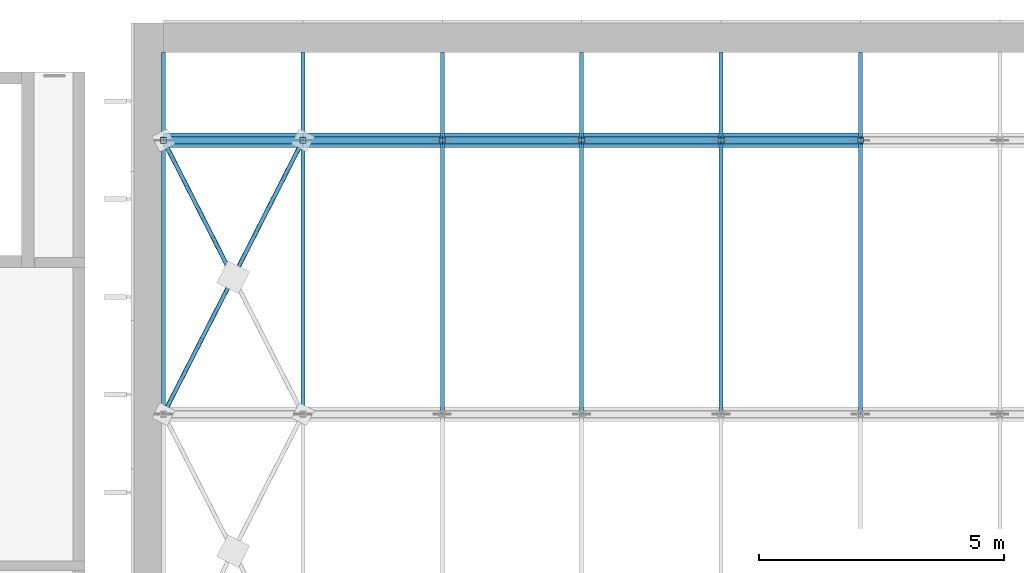
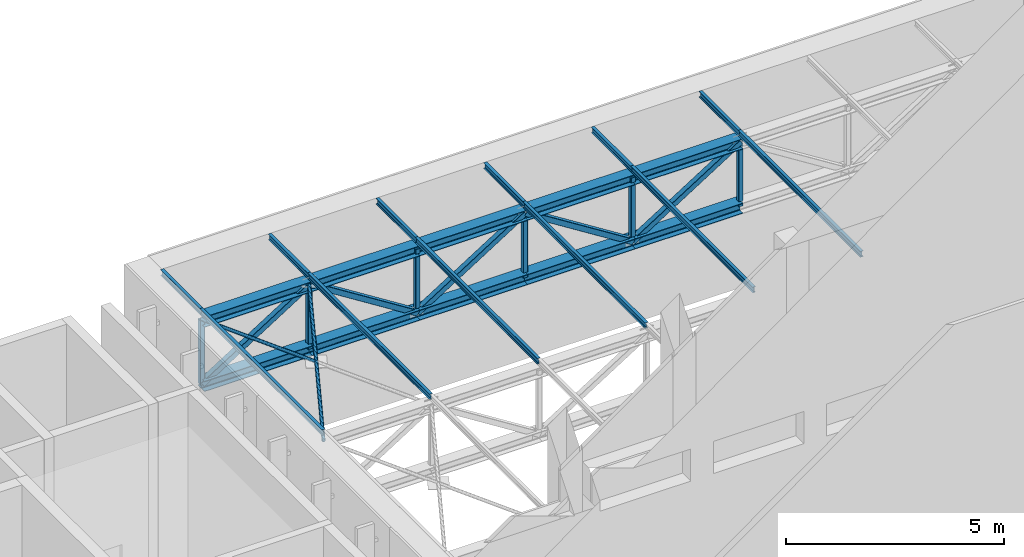
# One storey, part 42 of 55: 35 members.
"""IFC4 building model written with IfcOpenShell, lengths in metres."""

from ifc_helpers import new_model, si_unit, direction, frame, origin, origin_2d, place, context, subcontext, project, spatial, hollow_rectangle, hollow_circle, i_section, extrude, material, material_profile, profile_set, type_object, element, save


model = new_model("IFC4")

# Units and contexts
model_context = context("Model", 3, precision=1e-05, world=origin(), true_north=direction((0.0, 1.0)))
body_context = subcontext(model_context, "Body", "Model", "MODEL_VIEW")
ifc_project = project(units=[si_unit("LENGTHUNIT", "METRE"), si_unit("AREAUNIT", "SQUARE_METRE"), si_unit("VOLUMEUNIT", "CUBIC_METRE"), si_unit("PLANEANGLEUNIT", "RADIAN"), si_unit("MASSUNIT", "GRAM", prefix="KILO")], contexts=[model_context])

# Site, building, storey
site_placement = place(None, origin())
site = spatial("IfcSite", under=ifc_project, at=site_placement, CompositionType="ELEMENT")
building_placement = place(site_placement, origin())
building = spatial("IfcBuilding", under=site, at=building_placement, Name="Lunette Opera House", CompositionType="ELEMENT")
storey_placement = place(building_placement, frame((0.0, 0.0, 34.0)))
storey = spatial("IfcBuildingStorey", under=building, at=storey_placement, Name="L06", CompositionType="ELEMENT", Elevation=34.0)

# Members
ifc_material_1 = material(Name="Steel S355", Category="steel")
ifc_material_profile_1 = material_profile(ifc_material_1, hollow_circle(Radius=0.04443359375, WallThickness=0.00390625, at=origin_2d()), Name="CHS 88.9X4")
ifc_profile_set_1 = profile_set([ifc_material_profile_1], Name="Steel S355")
member_type_1 = type_object("IfcMemberType", Name="BRACING CHS 88.9X4", PredefinedType="BRACE", material=ifc_profile_set_1)
member_1_placement = place(storey_placement, frame((84.60009765625, 128.0, 5.574951171875), z_axis=(0.453543338002, 0.891234223173, 0.0), x_axis=(-0.891234223173, 0.453543338002, 0.0)))
element("IfcMember", 1, at=member_1_placement, inside=storey, type_object=member_type_1, Name="mem-ST-L06-SR-TR-BRQ2P1A", PredefinedType="BRACE", context=body_context, shape_type="SweptSolid", body=[
    extrude(hollow_circle(Radius=0.04443359375, WallThickness=0.00390625, at=origin_2d()), origin(), (0.0, 0.0, 1.0), 6.283447265625),
])
member_2_placement = place(storey_placement, frame((86.02490234375, 130.800048828125, 5.574951171875), z_axis=(-0.453512475474, 0.891249928241, 0.0), x_axis=(-0.891249928241, -0.453512475474, 0.0)))
element("IfcMember", 2, at=member_2_placement, inside=storey, type_object=member_type_1, Name="mem-ST-L06-SR-TR-BRQ2P1B segment 2", PredefinedType="BRACE", context=body_context, shape_type="SweptSolid", body=[
    extrude(hollow_circle(Radius=0.04443359375, WallThickness=0.00390625, at=origin_2d()), origin(), (0.0, 0.0, 1.0), 3.1416015625),
])
ifc_material_2 = material(Name="Steel S355", Category="steel")
ifc_material_profile_2 = material_profile(ifc_material_2, i_section(OverallWidth=0.300048828125, OverallDepth=0.2900390625, WebThickness=0.008544921875, FlangeThickness=0.013916015625, FilletRadius=0.027099609375, at=origin_2d()), Name="HEA 300")
ifc_profile_set_2 = profile_set([ifc_material_profile_2], Name="Steel S355")
member_type_2 = type_object("IfcMemberType", Name="CHORD HEA 300", PredefinedType="CHORD", material=ifc_profile_set_2)
for number, where, z_axis, x_axis, name in (
    (3, (84.60009765625, 133.60009765625, 5.574951171875), (1.0, 0.0, 0.0), (0.0, 1.0, 0.0), "mem-ST-L06-SR-TR03-TC1"),
    (4, (84.60009765625, 133.60009765625, 3.77490234375), (1.0, 0.0, 0.0), (0.0, 1.0, 0.0), "mem-ST-L06-SR-TR03-BC1"),
):
    element("IfcMember", number, at=place(storey_placement, frame(where, z_axis=z_axis, x_axis=x_axis)), inside=storey, type_object=member_type_2, Name=name, PredefinedType="CHORD", context=body_context, shape_type="SweptSolid", body=[
        extrude(i_section(OverallWidth=0.300048828125, OverallDepth=0.2900390625, WebThickness=0.008544921875, FlangeThickness=0.013916015625, FilletRadius=0.027099609375, at=origin_2d()), origin(), (0.0, 0.0, 1.0), 2.849853515625),
    ])
for number, where, z_axis, x_axis, name in (
    (5, (87.449951171875, 133.60009765625, 5.574951171875), (1.0, 0.0, 0.0), (0.0, 1.0, 0.0), "mem-ST-L06-SR-TR03-TC2"),
    (6, (87.449951171875, 133.60009765625, 3.77490234375), (1.0, 0.0, 0.0), (0.0, 1.0, 0.0), "mem-ST-L06-SR-TR03-BC2"),
):
    element("IfcMember", number, at=place(storey_placement, frame(where, z_axis=z_axis, x_axis=x_axis)), inside=storey, type_object=member_type_2, Name=name, PredefinedType="CHORD", context=body_context, shape_type="SweptSolid", body=[
        extrude(i_section(OverallWidth=0.300048828125, OverallDepth=0.2900390625, WebThickness=0.008544921875, FlangeThickness=0.013916015625, FilletRadius=0.027099609375, at=origin_2d()), origin(), (0.0, 0.0, 1.0), 2.85009765625),
    ])
for number, where, z_axis, x_axis, name in (
    (7, (90.300048828125, 133.60009765625, 5.574951171875), (1.0, 0.0, 0.0), (0.0, 1.0, 0.0), "mem-ST-L06-SR-TR03-TC3"),
    (8, (90.300048828125, 133.60009765625, 3.77490234375), (1.0, 0.0, 0.0), (0.0, 1.0, 0.0), "mem-ST-L06-SR-TR03-BC3"),
):
    element("IfcMember", number, at=place(storey_placement, frame(where, z_axis=z_axis, x_axis=x_axis)), inside=storey, type_object=member_type_2, Name=name, PredefinedType="CHORD", context=body_context, shape_type="SweptSolid", body=[
        extrude(i_section(OverallWidth=0.300048828125, OverallDepth=0.2900390625, WebThickness=0.008544921875, FlangeThickness=0.013916015625, FilletRadius=0.027099609375, at=origin_2d()), origin(), (0.0, 0.0, 1.0), 2.849853515625),
    ])
for number, where, z_axis, x_axis, name in (
    (9, (93.14990234375, 133.60009765625, 5.574951171875), (1.0, 0.0, 0.0), (0.0, 1.0, 0.0), "mem-ST-L06-SR-TR03-TC4"),
    (10, (93.14990234375, 133.60009765625, 3.77490234375), (1.0, 0.0, 0.0), (0.0, 1.0, 0.0), "mem-ST-L06-SR-TR03-BC4"),
    (11, (96.0, 133.60009765625, 5.574951171875), (1.0, 0.0, 0.0), (0.0, 1.0, 0.0), "mem-ST-L06-SR-TR03-TC5"),
    (12, (96.0, 133.60009765625, 3.77490234375), (1.0, 0.0, 0.0), (0.0, 1.0, 0.0), "mem-ST-L06-SR-TR03-BC5"),
):
    element("IfcMember", number, at=place(storey_placement, frame(where, z_axis=z_axis, x_axis=x_axis)), inside=storey, type_object=member_type_2, Name=name, PredefinedType="CHORD", context=body_context, shape_type="SweptSolid", body=[
        extrude(i_section(OverallWidth=0.300048828125, OverallDepth=0.2900390625, WebThickness=0.008544921875, FlangeThickness=0.013916015625, FilletRadius=0.027099609375, at=origin_2d()), origin(), (0.0, 0.0, 1.0), 2.85009765625),
    ])
ifc_material_3 = material(Name="Steel S355", Category="steel")
ifc_material_profile_3 = material_profile(ifc_material_3, hollow_rectangle(XDim=0.14990234375, YDim=0.14990234375, WallThickness=0.006103515625, InnerFilletRadius=0.006103515625, OuterFilletRadius=0.011962890625, at=origin_2d()), Name="RHS 150X150X6")
ifc_profile_set_3 = profile_set([ifc_material_profile_3], Name="Steel S355")
member_type_3 = type_object("IfcMemberType", Name="DIAGONAL RHS 150X150X6", PredefinedType="BRACE", material=ifc_profile_set_3)
for number, where, z_axis, x_axis, name in (
    (13, (84.60009765625, 133.60009765625, 3.77490234375), (0.845469970423, 0.0, 0.53402296684), (0.0, 1.0, 0.0), "mem-ST-L06-SR-TR03-TD1"),
    (14, (87.449951171875, 133.60009765625, 5.574951171875), (0.845490624019, 0.0, -0.53399026648), (0.0, 1.0, 0.0), "mem-ST-L06-SR-TR03-TD2"),
    (15, (90.300048828125, 133.60009765625, 3.77490234375), (0.845469970423, 0.0, 0.53402296684), (0.0, 1.0, 0.0), "mem-ST-L06-SR-TR03-TD3"),
    (16, (93.14990234375, 133.60009765625, 5.574951171875), (0.845490624019, 0.0, -0.53399026648), (0.0, 1.0, 0.0), "mem-ST-L06-SR-TR03-TD4"),
    (17, (96.0, 133.60009765625, 3.77490234375), (0.845490624019, 0.0, 0.53399026648), (0.0, 1.0, 0.0), "mem-ST-L06-SR-TR03-TD5"),
):
    element("IfcMember", number, at=place(storey_placement, frame(where, z_axis=z_axis, x_axis=x_axis)), inside=storey, type_object=member_type_3, Name=name, PredefinedType="BRACE", context=body_context, shape_type="SweptSolid", body=[
        extrude(hollow_rectangle(XDim=0.14990234375, YDim=0.14990234375, WallThickness=0.006103515625, InnerFilletRadius=0.006103515625, OuterFilletRadius=0.011962890625, at=origin_2d()), origin(), (0.0, 0.0, 1.0), 3.370849609375),
    ])
ifc_material_4 = material(Name="Steel S355", Category="steel")
ifc_material_profile_4 = material_profile(ifc_material_4, i_section(OverallWidth=0.08203125, OverallDepth=0.159912109375, WebThickness=0.0048828125, FlangeThickness=0.00732421875, FilletRadius=0.009033203125, at=origin_2d()), Name="IPE 160")
ifc_profile_set_4 = profile_set([ifc_material_profile_4], Name="Steel S355")
member_type_4 = type_object("IfcMemberType", Name="PURLIN IPE 160", PredefinedType="PURLIN", material=ifc_profile_set_4)
member_3_placement = place(storey_placement, frame((84.60009765625, 128.0, 5.800048828125), z_axis=(0.0, 1.0, 0.0), x_axis=(-1.0, 0.0, 0.0)))
element("IfcMember", 18, at=member_3_placement, inside=storey, type_object=member_type_4, Name="mem-ST-L06-SR-TR-PU1-3", PredefinedType="PURLIN", context=body_context, shape_type="SweptSolid", body=[
    extrude(i_section(OverallWidth=0.08203125, OverallDepth=0.159912109375, WebThickness=0.0048828125, FlangeThickness=0.00732421875, FilletRadius=0.009033203125, at=origin_2d()), origin(), (0.0, 0.0, 1.0), 5.60009765625),
])
member_4_placement = place(storey_placement, frame((84.60009765625, 133.60009765625, 5.800048828125), z_axis=(0.0, 1.0, 0.0), x_axis=(-1.0, 0.0, 0.0)))
element("IfcMember", 19, at=member_4_placement, inside=storey, type_object=member_type_4, Name="mem-ST-L06-SR-TR-PU1-4", PredefinedType="PURLIN", context=body_context, shape_type="SweptSolid", body=[
    extrude(i_section(OverallWidth=0.08203125, OverallDepth=0.159912109375, WebThickness=0.0048828125, FlangeThickness=0.00732421875, FilletRadius=0.009033203125, at=origin_2d()), origin(), (0.0, 0.0, 1.0), 1.7998046875),
])
member_5_placement = place(storey_placement, frame((87.449951171875, 128.0, 5.800048828125), z_axis=(0.0, 1.0, 0.0), x_axis=(-1.0, 0.0, 0.0)))
element("IfcMember", 20, at=member_5_placement, inside=storey, type_object=member_type_4, Name="mem-ST-L06-SR-TR-PU2-3", PredefinedType="PURLIN", context=body_context, shape_type="SweptSolid", body=[
    extrude(i_section(OverallWidth=0.08203125, OverallDepth=0.159912109375, WebThickness=0.0048828125, FlangeThickness=0.00732421875, FilletRadius=0.009033203125, at=origin_2d()), origin(), (0.0, 0.0, 1.0), 5.60009765625),
])
member_6_placement = place(storey_placement, frame((87.449951171875, 133.60009765625, 5.800048828125), z_axis=(0.0, 1.0, 0.0), x_axis=(-1.0, 0.0, 0.0)))
element("IfcMember", 21, at=member_6_placement, inside=storey, type_object=member_type_4, Name="mem-ST-L06-SR-TR-PU2-4", PredefinedType="PURLIN", context=body_context, shape_type="SweptSolid", body=[
    extrude(i_section(OverallWidth=0.08203125, OverallDepth=0.159912109375, WebThickness=0.0048828125, FlangeThickness=0.00732421875, FilletRadius=0.009033203125, at=origin_2d()), origin(), (0.0, 0.0, 1.0), 1.7998046875),
])
member_7_placement = place(storey_placement, frame((90.300048828125, 128.0, 5.800048828125), z_axis=(0.0, 1.0, 0.0), x_axis=(-1.0, 0.0, 0.0)))
element("IfcMember", 22, at=member_7_placement, inside=storey, type_object=member_type_4, Name="mem-ST-L06-SR-TR-PU3-3", PredefinedType="PURLIN", context=body_context, shape_type="SweptSolid", body=[
    extrude(i_section(OverallWidth=0.08203125, OverallDepth=0.159912109375, WebThickness=0.0048828125, FlangeThickness=0.00732421875, FilletRadius=0.009033203125, at=origin_2d()), origin(), (0.0, 0.0, 1.0), 5.60009765625),
])
member_8_placement = place(storey_placement, frame((90.300048828125, 133.60009765625, 5.800048828125), z_axis=(0.0, 1.0, 0.0), x_axis=(-1.0, 0.0, 0.0)))
element("IfcMember", 23, at=member_8_placement, inside=storey, type_object=member_type_4, Name="mem-ST-L06-SR-TR-PU3-4", PredefinedType="PURLIN", context=body_context, shape_type="SweptSolid", body=[
    extrude(i_section(OverallWidth=0.08203125, OverallDepth=0.159912109375, WebThickness=0.0048828125, FlangeThickness=0.00732421875, FilletRadius=0.009033203125, at=origin_2d()), origin(), (0.0, 0.0, 1.0), 1.7998046875),
])
member_9_placement = place(storey_placement, frame((93.14990234375, 128.0, 5.800048828125), z_axis=(0.0, 1.0, 0.0), x_axis=(-1.0, 0.0, 0.0)))
element("IfcMember", 24, at=member_9_placement, inside=storey, type_object=member_type_4, Name="mem-ST-L06-SR-TR-PU4-3", PredefinedType="PURLIN", context=body_context, shape_type="SweptSolid", body=[
    extrude(i_section(OverallWidth=0.08203125, OverallDepth=0.159912109375, WebThickness=0.0048828125, FlangeThickness=0.00732421875, FilletRadius=0.009033203125, at=origin_2d()), origin(), (0.0, 0.0, 1.0), 5.60009765625),
])
member_10_placement = place(storey_placement, frame((93.14990234375, 133.60009765625, 5.800048828125), z_axis=(0.0, 1.0, 0.0), x_axis=(-1.0, 0.0, 0.0)))
element("IfcMember", 25, at=member_10_placement, inside=storey, type_object=member_type_4, Name="mem-ST-L06-SR-TR-PU4-4", PredefinedType="PURLIN", context=body_context, shape_type="SweptSolid", body=[
    extrude(i_section(OverallWidth=0.08203125, OverallDepth=0.159912109375, WebThickness=0.0048828125, FlangeThickness=0.00732421875, FilletRadius=0.009033203125, at=origin_2d()), origin(), (0.0, 0.0, 1.0), 1.7998046875),
])
member_11_placement = place(storey_placement, frame((96.0, 128.0, 5.800048828125), z_axis=(0.0, 1.0, 0.0), x_axis=(-1.0, 0.0, 0.0)))
element("IfcMember", 26, at=member_11_placement, inside=storey, type_object=member_type_4, Name="mem-ST-L06-SR-TR-PU5-3", PredefinedType="PURLIN", context=body_context, shape_type="SweptSolid", body=[
    extrude(i_section(OverallWidth=0.08203125, OverallDepth=0.159912109375, WebThickness=0.0048828125, FlangeThickness=0.00732421875, FilletRadius=0.009033203125, at=origin_2d()), origin(), (0.0, 0.0, 1.0), 5.60009765625),
])
member_12_placement = place(storey_placement, frame((96.0, 133.60009765625, 5.800048828125), z_axis=(0.0, 1.0, 0.0), x_axis=(-1.0, 0.0, 0.0)))
element("IfcMember", 27, at=member_12_placement, inside=storey, type_object=member_type_4, Name="mem-ST-L06-SR-TR-PU5-4", PredefinedType="PURLIN", context=body_context, shape_type="SweptSolid", body=[
    extrude(i_section(OverallWidth=0.08203125, OverallDepth=0.159912109375, WebThickness=0.0048828125, FlangeThickness=0.00732421875, FilletRadius=0.009033203125, at=origin_2d()), origin(), (0.0, 0.0, 1.0), 1.7998046875),
])
member_13_placement = place(storey_placement, frame((98.85009765625, 128.0, 5.800048828125), z_axis=(0.0, 1.0, 0.0), x_axis=(-1.0, 0.0, 0.0)))
element("IfcMember", 28, at=member_13_placement, inside=storey, type_object=member_type_4, Name="mem-ST-L06-SR-TR-PU6-3", PredefinedType="PURLIN", context=body_context, shape_type="SweptSolid", body=[
    extrude(i_section(OverallWidth=0.08203125, OverallDepth=0.159912109375, WebThickness=0.0048828125, FlangeThickness=0.00732421875, FilletRadius=0.009033203125, at=origin_2d()), origin(), (0.0, 0.0, 1.0), 5.60009765625),
])
member_14_placement = place(storey_placement, frame((98.85009765625, 133.60009765625, 5.800048828125), z_axis=(0.0, 1.0, 0.0), x_axis=(-1.0, 0.0, 0.0)))
element("IfcMember", 29, at=member_14_placement, inside=storey, type_object=member_type_4, Name="mem-ST-L06-SR-TR-PU6-4", PredefinedType="PURLIN", context=body_context, shape_type="SweptSolid", body=[
    extrude(i_section(OverallWidth=0.08203125, OverallDepth=0.159912109375, WebThickness=0.0048828125, FlangeThickness=0.00732421875, FilletRadius=0.009033203125, at=origin_2d()), origin(), (0.0, 0.0, 1.0), 1.7998046875),
])
ifc_material_5 = material(Name="Steel S355", Category="steel")
ifc_material_profile_5 = material_profile(ifc_material_5, hollow_rectangle(XDim=0.1201171875, YDim=0.1201171875, WallThickness=0.0048828125, InnerFilletRadius=0.0048828125, OuterFilletRadius=0.010009765625, at=origin_2d()), Name="RHS 120X120X5")
ifc_profile_set_5 = profile_set([ifc_material_profile_5], Name="Steel S355")
member_type_5 = type_object("IfcMemberType", Name="VERTICAL RHS 120X120X5", PredefinedType="POST", material=ifc_profile_set_5)
for number, where, z_axis, x_axis, name in (
    (30, (84.60009765625, 133.60009765625, 3.77490234375), (0.0, 0.0, 1.0), (1.0, 0.0, 0.0), "mem-ST-L06-SR-TR03-TV1"),
    (31, (87.449951171875, 133.60009765625, 3.77490234375), (0.0, 0.0, 1.0), (1.0, 0.0, 0.0), "mem-ST-L06-SR-TR03-TV2"),
    (32, (90.300048828125, 133.60009765625, 3.77490234375), (0.0, 0.0, 1.0), (1.0, 0.0, 0.0), "mem-ST-L06-SR-TR03-TV3"),
    (33, (93.14990234375, 133.60009765625, 3.77490234375), (0.0, 0.0, 1.0), (1.0, 0.0, 0.0), "mem-ST-L06-SR-TR03-TV4"),
    (34, (96.0, 133.60009765625, 3.77490234375), (0.0, 0.0, 1.0), (1.0, 0.0, 0.0), "mem-ST-L06-SR-TR03-TV5"),
    (35, (98.85009765625, 133.60009765625, 3.77490234375), (0.0, 0.0, 1.0), (1.0, 0.0, 0.0), "mem-ST-L06-SR-TR03-TV6"),
):
    element("IfcMember", number, at=place(storey_placement, frame(where, z_axis=z_axis, x_axis=x_axis)), inside=storey, type_object=member_type_5, Name=name, PredefinedType="POST", context=body_context, shape_type="SweptSolid", body=[
        extrude(hollow_rectangle(XDim=0.1201171875, YDim=0.1201171875, WallThickness=0.0048828125, InnerFilletRadius=0.0048828125, OuterFilletRadius=0.010009765625, at=origin_2d()), origin(), (0.0, 0.0, 1.0), 1.800048828125),
    ])

save(model, "model.ifc")
